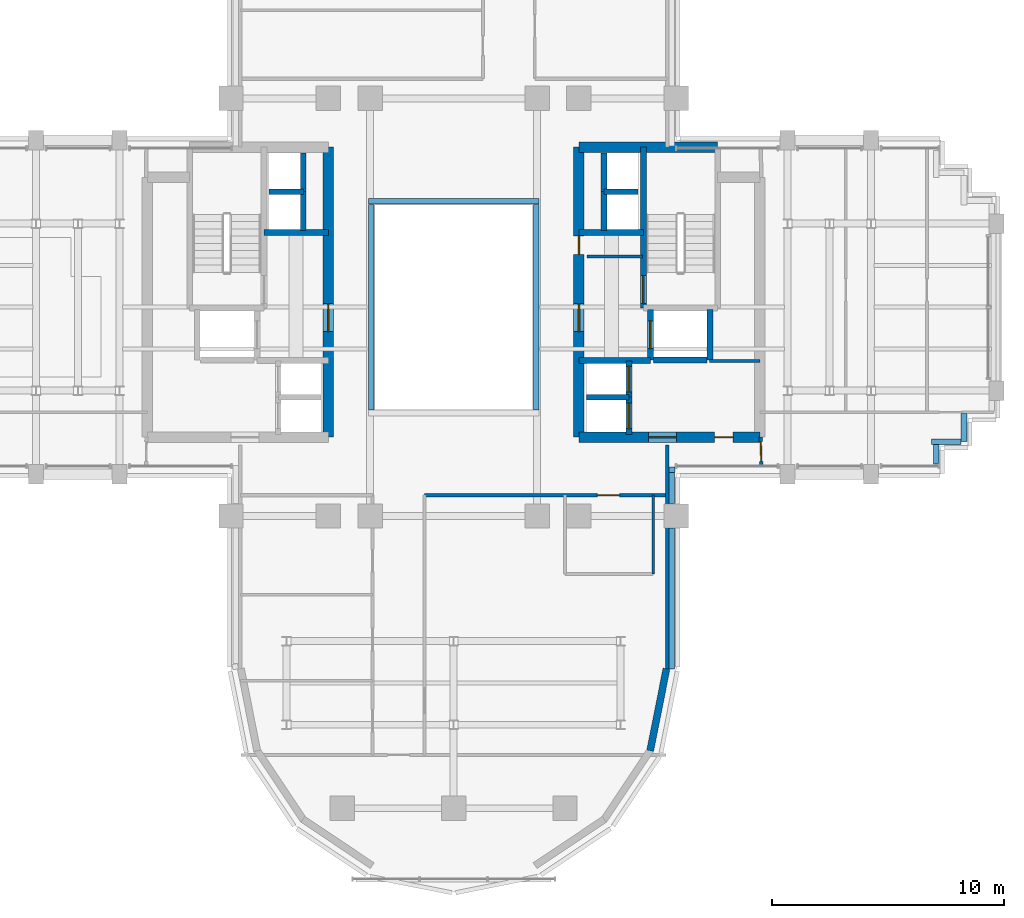
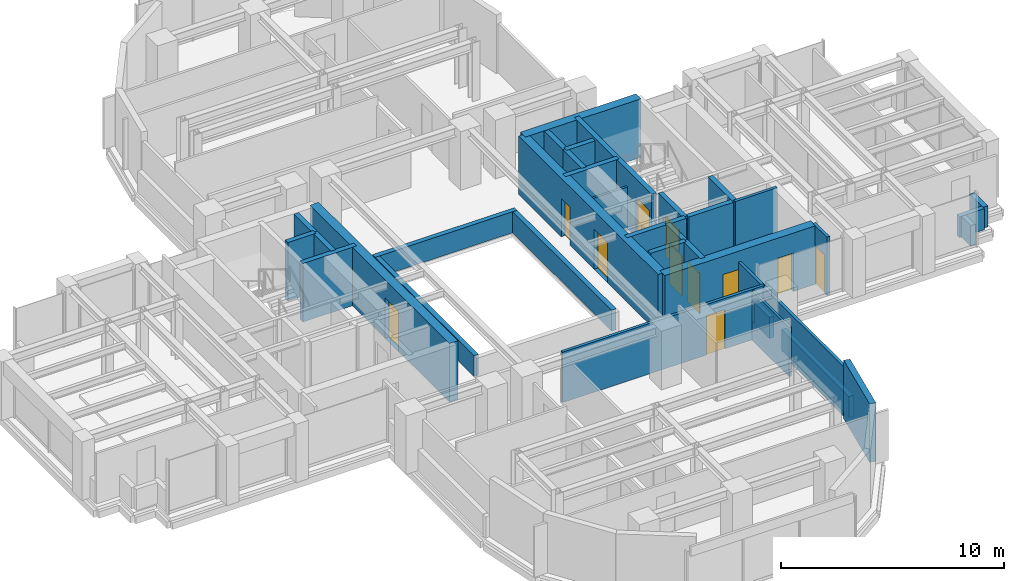
# One storey, part 9 of 13: 36 walls, 11 doors, 11 openings.
"""IFC4 building model written with IfcOpenShell, lengths in metres."""

import ifcopenshell
import ifcopenshell.guid

model = None  # the IFC model being written
_history = None  # IfcOwnerHistory: only IFC2X3 demands one
_inside = {}  # id of a spatial element -> (the spatial element, [elements in it])
_under = {}  # id of a project, library or spatial element -> (it, [spatial elements below it])
_declared = {}  # id of a project -> (the project, [libraries it declares])
_typed = {}  # id of a type object -> (the type object, [elements of that type])
_made_of = {}  # id of a material, layer set ... -> (it, [elements and type objects made of it])


def new_model(schema):
    """Start an empty IFC model of exactly this schema.

    Asked for "IFC4X3", IfcOpenShell would pick the latest addendum, in which some entities
    have other attributes; the version numbers below select the first issue.
    IFC2X3 requires an IfcOwnerHistory on every rooted entity: one is made here for all.
    """
    global model, _history
    if schema == "IFC4X3":
        model = ifcopenshell.file(schema_version=(4, 3, 0, 0))
    else:
        model = ifcopenshell.file(schema=schema)
    _inside.clear()
    _under.clear()
    _declared.clear()
    _typed.clear()
    _made_of.clear()
    _history = None
    if model.schema == "IFC2X3":
        org = make("IfcOrganization", Name="unknown")
        user = make(
            "IfcPersonAndOrganization",
            ThePerson=make("IfcPerson", FamilyName="unknown"),
            TheOrganization=org,
        )
        app = make(
            "IfcApplication",
            ApplicationDeveloper=org,
            Version="unknown",
            ApplicationFullName="unknown",
            ApplicationIdentifier="unknown",
        )
        _history = make(
            "IfcOwnerHistory",
            OwningUser=user,
            OwningApplication=app,
            ChangeAction="ADDED",
            CreationDate=0,
        )
    return model


def make(cls, **values):
    """One entity of the class cls with the attributes given. An attribute that is None is left unset."""
    return model.create_entity(
        cls, **{name: value for name, value in values.items() if value is not None}
    )


def rooted(cls, **values):
    """An entity with a GlobalId (a new one), such as an element, a storey or a relation."""
    return make(cls, GlobalId=ifcopenshell.guid.new(), OwnerHistory=_history, **values)


def si_unit(unit_type, name, prefix=None):
    """IfcSIUnit, for example si_unit("LENGTHUNIT", "METRE", prefix="MILLI")."""
    return make("IfcSIUnit", UnitType=unit_type, Prefix=prefix, Name=name)


def assignment(units):
    """IfcUnitAssignment: the units of a project."""
    return None if units is None else make("IfcUnitAssignment", Units=units)


def point(xyz):
    """IfcCartesianPoint."""
    return None if xyz is None else make("IfcCartesianPoint", Coordinates=xyz)


def direction(xyz):
    """IfcDirection."""
    return None if xyz is None else make("IfcDirection", DirectionRatios=xyz)


def frame(location, z_axis=None, x_axis=None):
    """IfcAxis2Placement3D, a coordinate frame: its origin and axes. An axis left out is left unset."""
    return make(
        "IfcAxis2Placement3D",
        Location=point(location),
        Axis=direction(z_axis),
        RefDirection=direction(x_axis),
    )


def frame_2d(location, x_axis=None):
    """IfcAxis2Placement2D, a coordinate frame in the plane: its origin and x axis."""
    return make(
        "IfcAxis2Placement2D", Location=point(location), RefDirection=direction(x_axis)
    )


def origin():
    """The frame at (0, 0, 0) with its axes left unset."""
    return frame((0.0, 0.0, 0.0))


def place(relative_to, where):
    """IfcLocalPlacement: puts the frame where relative to a parent placement (None: the world)."""
    return make(
        "IfcLocalPlacement", PlacementRelTo=relative_to, RelativePlacement=where
    )


def context(
    kind, dimensions, precision=None, world=None, true_north=None, identifier=None
):
    """IfcGeometricRepresentationContext, for example the 3D "Model" context."""
    return make(
        "IfcGeometricRepresentationContext",
        ContextIdentifier=identifier,
        ContextType=kind,
        CoordinateSpaceDimension=dimensions,
        Precision=precision,
        WorldCoordinateSystem=world,
        TrueNorth=true_north,
    )


def subcontext(parent, identifier, kind, view, scale=None):
    """IfcGeometricRepresentationSubContext, for example "Body" below "Model"."""
    return make(
        "IfcGeometricRepresentationSubContext",
        ContextIdentifier=identifier,
        ContextType=kind,
        ParentContext=parent,
        TargetScale=scale,
        TargetView=view,
    )


def project(units=None, contexts=None):
    """IfcProject with its units and contexts."""
    return rooted(
        "IfcProject",
        Name="project",
        RepresentationContexts=contexts,
        UnitsInContext=assignment(units),
    )


def spatial(cls, under=None, at=None, **own):
    """A site, building, storey or space (cls), placed at a placement, below another one or the project."""
    s = rooted(cls, ObjectPlacement=at, **own)
    if under is not None:
        _under.setdefault(under.id(), (under, []))[1].append(s)
    return s


def profile(cls, at=None, kind="AREA", **sizes):
    """A parametric profile (cls). Its sizes go by their IFC names, for example OverallWidth=200.0."""
    return make(cls, ProfileType=kind, Position=at, **sizes)


def rectangle(**sizes):
    """IfcRectangleProfileDef."""
    return profile("IfcRectangleProfileDef", **sizes)


def extrude(swept, where, along, depth):
    """IfcExtrudedAreaSolid: the profile swept, set in the frame where, extruded along a direction by depth."""
    return make(
        "IfcExtrudedAreaSolid",
        SweptArea=swept,
        Position=where,
        ExtrudedDirection=direction(along),
        Depth=depth,
    )


def shape(context_of_items, identifier, shape_type, items):
    """IfcShapeRepresentation: the items that make up one representation, for example the "Body"."""
    return make(
        "IfcShapeRepresentation",
        ContextOfItems=context_of_items,
        RepresentationIdentifier=identifier,
        RepresentationType=shape_type,
        Items=items,
    )


def source(mapping_origin, context_of_items, identifier, shape_type, items):
    """IfcRepresentationMap: a shape defined once, which mapped items show again and again."""
    return make(
        "IfcRepresentationMap",
        MappingOrigin=mapping_origin,
        MappedRepresentation=shape(context_of_items, identifier, shape_type, items),
    )


def transform(
    local_origin,
    x_axis=None,
    y_axis=None,
    z_axis=None,
    scale=None,
    scale2=None,
    scale3=None,
    uniform=True,
):
    """IfcCartesianTransformationOperator3D, or its non-uniform kind. x_axis, y_axis, z_axis: its Axis1, 2, 3."""
    if uniform:
        return make(
            "IfcCartesianTransformationOperator3D",
            Axis1=direction(x_axis),
            Axis2=direction(y_axis),
            LocalOrigin=point(local_origin),
            Scale=scale,
            Axis3=direction(z_axis),
        )
    return make(
        "IfcCartesianTransformationOperator3DnonUniform",
        Axis1=direction(x_axis),
        Axis2=direction(y_axis),
        LocalOrigin=point(local_origin),
        Scale=scale,
        Axis3=direction(z_axis),
        Scale2=scale2,
        Scale3=scale3,
    )


def mapped(mapping_source, mapping_target):
    """IfcMappedItem: shows the shape of a source again, moved by a transform."""
    return make(
        "IfcMappedItem", MappingSource=mapping_source, MappingTarget=mapping_target
    )


def material(Name=None, Category=None):
    """IfcMaterial."""
    return make("IfcMaterial", Name=Name, Category=Category)


def layer(
    of_material, thickness, ventilated=None, Name=None, Category=None, Priority=None
):
    """IfcMaterialLayer: one layer of a wall or slab, of a material (None: an air gap)."""
    return make(
        "IfcMaterialLayer",
        Material=of_material,
        LayerThickness=thickness,
        IsVentilated=ventilated,
        Name=Name,
        Category=Category,
        Priority=Priority,
    )


def layer_set(layers, Name=None):
    """IfcMaterialLayerSet."""
    return make("IfcMaterialLayerSet", MaterialLayers=layers, LayerSetName=Name)


def made_of(thing, what):
    """Note that an element or type object is made of a material, layer set ...; save() writes the relation."""
    if what is not None:
        _made_of.setdefault(what.id(), (what, []))[1].append(thing)
    return thing


def type_object(cls, material=None, **own):
    """A type object (cls), such as IfcWallType, which elements share."""
    return made_of(rooted(cls, **own), material)


def element(
    cls,
    number,
    at=None,
    inside=None,
    cuts=None,
    type_object=None,
    material=None,
    context=None,
    identifier="Body",
    shape_type=None,
    held_by="IfcProductDefinitionShape",
    body=None,
    shapes=None,
    **own,
):
    """One element of the class cls, such as IfcWall. Its Tag is "e" and its number.

    at: its placement. inside: the storey or other place that contains it. cuts: it is an
    opening in that element (IfcRelVoidsElement). A single representation is given by context,
    identifier, shape_type and body (its items); several are given by shapes. held_by: the class
    of the entity that holds the representations. save() writes the other relations.
    """
    e = rooted(cls, Tag="e%d" % number, ObjectPlacement=at, **own)
    if body is not None:
        shapes = [shape(context, identifier, shape_type, body)]
    if shapes is not None:
        e.Representation = make(held_by, Representations=shapes)
    if inside is not None:
        _inside.setdefault(inside.id(), (inside, []))[1].append(e)
    if cuts is not None:
        rooted(
            "IfcRelVoidsElement", RelatingBuildingElement=cuts, RelatedOpeningElement=e
        )
    if type_object is not None:
        _typed.setdefault(type_object.id(), (type_object, []))[1].append(e)
    return made_of(e, material)


def fill(opening, filler):
    """IfcRelFillsElement: the door or window that sits in an opening."""
    return rooted(
        "IfcRelFillsElement",
        RelatingOpeningElement=opening,
        RelatedBuildingElement=filler,
    )


def aggregate(whole, parts):
    """IfcRelAggregates: a whole, such as a stair, and the parts it consists of."""
    return rooted("IfcRelAggregates", RelatingObject=whole, RelatedObjects=parts)


def save(model, path):
    """Write the relations noted so far, then the file.

    IfcRelAggregates (storeys below a building ...), IfcRelContainedInSpatialStructure (elements
    in a storey), IfcRelDefinesByType, IfcRelAssociatesMaterial and IfcRelDeclares: one each for
    every whole, place, type object, material and project.
    """
    for whole, parts in _under.values():
        aggregate(whole, parts)
    for where, things in _inside.values():
        rooted(
            "IfcRelContainedInSpatialStructure",
            RelatedElements=things,
            RelatingStructure=where,
        )
    for kind, things in _typed.values():
        rooted("IfcRelDefinesByType", RelatedObjects=things, RelatingType=kind)
    for what, things in _made_of.values():
        rooted("IfcRelAssociatesMaterial", RelatedObjects=things, RelatingMaterial=what)
    for by, libraries in _declared.values():
        rooted("IfcRelDeclares", RelatingContext=by, RelatedDefinitions=libraries)
    model.write(path)


model = new_model("IFC4")

# Units and contexts
model_context = context("Model", 3, precision=1e-05, world=origin(), true_north=direction((0.0, 1.0)))
body_context = subcontext(model_context, "Body", "Model", "MODEL_VIEW")
ifc_project = project(units=[si_unit("LENGTHUNIT", "METRE"), si_unit("AREAUNIT", "SQUARE_METRE"), si_unit("VOLUMEUNIT", "CUBIC_METRE"), si_unit("PLANEANGLEUNIT", "RADIAN"), si_unit("MASSUNIT", "GRAM", prefix="KILO")], contexts=[model_context])

# Site, building, storey
site_placement = place(None, origin())
site = spatial("IfcSite", under=ifc_project, at=site_placement, CompositionType="ELEMENT")
building_placement = place(site_placement, origin())
building = spatial("IfcBuilding", under=site, at=building_placement, Name="Keilestroom Media Tower", CompositionType="ELEMENT")
storey_placement = place(building_placement, frame((0.0, 0.0, 131.199951171875)))
storey = spatial("IfcBuildingStorey", under=building, at=storey_placement, Name="L35", CompositionType="ELEMENT", Elevation=131.199951171875)

# Walls
ifc_material_1 = material(Name="Precast concrete C40/50", Category="concrete")
ifc_layer_1 = layer(ifc_material_1, 0.300048828125)
ifc_layer_set_1 = layer_set([ifc_layer_1], Name="Precast concrete C40/50")
wall_type_1 = type_object("IfcWallType", Name="Exterior-Masonry-Spandrel-Wall-300", PredefinedType="SOLIDWALL", material=ifc_layer_set_1)
wall_1_placement = place(storey_placement, frame((8.470703125, -19.12451171875, 0.0), z_axis=(0.0, 0.0, 1.0), x_axis=(0.195114232679, 0.980780523974, 0.0)))
element("IfcWall", 1, at=wall_1_placement, inside=storey, type_object=wall_type_1, Name="L35 Lobe Facet Precast Frame Wall 12", PredefinedType="SOLIDWALL", context=body_context, shape_type="SweptSolid", body=[
    extrude(rectangle(XDim=3.608642578125, YDim=0.300048828125, at=frame_2d((1.80419921875, 0.0))), origin(), (0.0, 0.0, 1.0), 3.199951171875),
])
ifc_material_2 = material(Name="Gypsum Plasterboard & Steel Stud", Category="steel")
ifc_layer_2 = layer(ifc_material_2, 0.1201171875)
ifc_layer_set_2 = layer_set([ifc_layer_2], Name="Gypsum Plasterboard & Steel Stud")
wall_type_2 = type_object("IfcWallType", Name="Interior-Partition-Wall-120", PredefinedType="PARTITIONING", material=ifc_layer_set_2)
wall_2_placement = place(storey_placement, frame((5.75, 2.179931640625, 0.0), z_axis=(0.0, 0.0, 1.0), x_axis=(1.0, 0.0, 0.0)))
element("IfcWall", 2, at=wall_2_placement, inside=storey, type_object=wall_type_2, Name="L35 Interior Wall WP-L35-CIE-S", PredefinedType="PARTITIONING", context=body_context, shape_type="SweptSolid", body=[
    extrude(rectangle(XDim=2.389892578125, YDim=0.1201171875, at=frame_2d((1.19482421875, 0.0))), origin(), (0.0, 0.0, 1.0), 2.300048828125),
])
wall_3_placement = place(storey_placement, frame((8.60009765625, -11.5, 0.0), z_axis=(0.0, 0.0, 1.0), x_axis=(0.0, 1.0, 0.0)))
element("IfcWall", 3, at=wall_3_placement, inside=storey, type_object=wall_type_2, Name="L35 Interior Wall WP-L35-SL-WC-E", PredefinedType="PARTITIONING", context=body_context, shape_type="SweptSolid", body=[
    extrude(rectangle(XDim=3.39990234375, YDim=0.1201171875, at=frame_2d((1.699951171875, 0.0))), origin(), (0.0, 0.0, 1.0), 2.699951171875),
])
ifc_layer_3 = layer(ifc_material_2, 0.14990234375)
ifc_layer_set_3 = layer_set([ifc_layer_3], Name="Gypsum Plasterboard & Steel Stud")
wall_type_3 = type_object("IfcWallType", Name="Interior-Partition-Wall-150", PredefinedType="PARTITIONING", material=ifc_layer_set_3)
wall_4_placement = place(storey_placement, frame((11.02001953125, -2.320068359375, 0.0), z_axis=(0.0, 0.0, 1.0), x_axis=(1.0, 0.0, 0.0)))
element("IfcWall", 4, at=wall_4_placement, inside=storey, type_object=wall_type_3, Name="L35 Interior Wall WP-L35-RECLE-N", PredefinedType="PARTITIONING", context=body_context, shape_type="SweptSolid", body=[
    extrude(rectangle(XDim=2.179931640625, YDim=0.14990234375, at=frame_2d((1.08984375, 0.0))), origin(), (0.0, 0.0, 1.0), 3.199951171875),
])
wall_5_placement = place(storey_placement, frame((9.199951171875, -15.679931640625, 0.0), z_axis=(0.0, 0.0, 1.0), x_axis=(0.0, 1.0, 0.0)))
element("IfcWall", 5, at=wall_5_placement, inside=storey, type_object=wall_type_3, Name="L35 Interior Wall WP-L35-SL-CHKE", PredefinedType="PARTITIONING", context=body_context, shape_type="SweptSolid", body=[
    extrude(rectangle(XDim=9.739990234375, YDim=0.14990234375, at=frame_2d((4.8701171875, 0.0))), origin(), (0.0, 0.0, 1.0), 2.699951171875),
])

# Wall, opening, door
wall_6_placement = place(storey_placement, frame((-1.260009765625, -8.10009765625, 0.0), z_axis=(0.0, 0.0, 1.0), x_axis=(1.0, 0.0, 0.0)))
wall_6 = element("IfcWall", 6, at=wall_6_placement, inside=storey, type_object=wall_type_3, Name="L35 Interior Wall WP-L35-SL-BASE-E", PredefinedType="PARTITIONING", context=body_context, shape_type="SweptSolid", body=[
    extrude(rectangle(XDim=10.4599609375, YDim=0.14990234375, at=frame_2d((5.22998046875, 0.0))), origin(), (0.0, 0.0, 1.0), 2.760009765625),
])
opening_1_placement = place(wall_6_placement, frame((7.4599609375, 0.0, 0.0)))
opening_1 = element("IfcOpeningElement", 7, at=opening_1_placement, cuts=wall_6, Name="Opening DI-03", PredefinedType="OPENING", context=body_context, shape_type="SweptSolid", body=[
    extrude(rectangle(XDim=0.949951171875, YDim=2.14990234375, at=frame_2d((0.47509765625, 1.074951171875))), frame((0.0, 0.0849609375, 0.0), z_axis=(0.0, -1.0, 0.0), x_axis=(1.0, 0.0, 0.0)), (0.0, 0.0, 1.0), 0.169921875),
])
ifc_material_3 = material(Name="Lacquered European Oak Leaf", Category="wood")
door_type_1 = type_object("IfcDoorType", Name="Interior-Room-And-Suite-Door-DI-03", OperationType="NOTDEFINED", PredefinedType="DOOR", material=ifc_material_3)
shared_shape_1 = source(origin(), body_context, "Body", "SweptSolid", [
    extrude(rectangle(XDim=0.949951171875, YDim=2.14990234375, at=frame_2d((0.47509765625, 1.074951171875))), frame((0.0, 0.02490234375, 0.0), z_axis=(0.0, -1.0, 0.0), x_axis=(1.0, 0.0, 0.0)), (0.0, 0.0, 1.0), 0.050048828125),
])
door_1_placement = place(opening_1_placement, origin())
door_1 = element("IfcDoor", 8, at=door_1_placement, inside=storey, type_object=door_type_1, Name="L35 Interior Door DI-L35-DSL-WC", OperationType="SINGLE_SWING_RIGHT", OverallHeight=2.14990234375, OverallWidth=0.949951171875, PredefinedType="DOOR", context=body_context, shape_type="MappedRepresentation", body=[
    mapped(shared_shape_1, transform((0.0, 0.0, 0.0), x_axis=(1.0, 0.0, 0.0), y_axis=(0.0, 1.0, 0.0), z_axis=(0.0, 0.0, 1.0), scale=1.0)),
])
fill(opening_1, door_1)

wall_7_placement = place(storey_placement, frame((13.260009765625, -6.85009765625, 0.0), z_axis=(0.0, 0.0, 1.0), x_axis=(-0.016013571389, 0.999871774545, 0.0)))
wall_7 = element("IfcWall", 9, at=wall_7_placement, inside=storey, type_object=wall_type_3, Name="L35 Interior Wall WP-L35-EA-ENTS", PredefinedType="PARTITIONING", context=body_context, shape_type="SweptSolid", body=[
    extrude(rectangle(XDim=1.250244140625, YDim=0.14990234375, at=frame_2d((0.625, 0.0))), origin(), (0.0, 0.0, 1.0), 3.199951171875),
])
opening_2_placement = place(wall_7_placement, frame((0.199951171875, 0.0, 0.0)))
opening_2 = element("IfcOpeningElement", 10, at=opening_2_placement, cuts=wall_7, Name="Opening DI-05", PredefinedType="OPENING", context=body_context, shape_type="SweptSolid", body=[
    extrude(rectangle(XDim=0.85009765625, YDim=2.10009765625, at=frame_2d((0.425048828125, 1.050048828125))), frame((0.0, 0.0849609375, 0.0), z_axis=(0.0, -1.0, 0.0), x_axis=(1.0, 0.0, 0.0)), (0.0, 0.0, 1.0), 0.169921875),
])
ifc_material_4 = material(Name="Moisture-Resistant Oak Leaf", Category="wood")
door_type_2 = type_object("IfcDoorType", Name="Interior-En-Suite-And-Cupboard-Door-DI-05", OperationType="NOTDEFINED", PredefinedType="DOOR", material=ifc_material_4)
shared_shape_2 = source(origin(), body_context, "Body", "SweptSolid", [
    extrude(rectangle(XDim=0.85009765625, YDim=2.10009765625, at=frame_2d((0.425048828125, 1.050048828125))), frame((0.0, 0.02490234375, 0.0), z_axis=(0.0, -1.0, 0.0), x_axis=(1.0, 0.0, 0.0)), (0.0, 0.0, 1.0), 0.050048828125),
])
door_2_placement = place(opening_2_placement, origin())
door_2 = element("IfcDoor", 11, at=door_2_placement, inside=storey, type_object=door_type_2, Name="L35 Interior Door DI-L35-DEA-ENTS", OperationType="SINGLE_SWING_LEFT", OverallHeight=2.10009765625, OverallWidth=0.85009765625, PredefinedType="DOOR", context=body_context, shape_type="MappedRepresentation", body=[
    mapped(shared_shape_2, transform((0.0, 0.0, 0.0), x_axis=(1.0, 0.0, 0.0), y_axis=(0.0, 1.0, 0.0), z_axis=(0.0, 0.0, 1.0), scale=1.0)),
])
fill(opening_2, door_2)

ifc_material_5 = material(Name="Concrete C55/67", Category="concrete")
ifc_layer_4 = layer(ifc_material_5, 0.449951171875)
ifc_layer_set_4 = layer_set([ifc_layer_4], Name="Concrete C55/67")
wall_type_4 = type_object("IfcWallType", Name="Reinforced-Concrete-Core-Shear-Wall-450", PredefinedType="SHEAR", material=ifc_layer_set_4)
wall_8_placement = place(storey_placement, frame((-5.39990234375, -5.60009765625, 0.0), z_axis=(0.0, 0.0, 1.0), x_axis=(0.0, 1.0, 0.0)))
wall_8 = element("IfcWall", 12, at=wall_8_placement, inside=storey, type_object=wall_type_4, Name="L35 Core Shear Wall WL-L35-CORE-W-IN", PredefinedType="SHEAR", context=body_context, shape_type="SweptSolid", body=[
    extrude(rectangle(XDim=12.5, YDim=0.449951171875, at=frame_2d((6.25, 0.0))), origin(), (0.0, 0.0, 1.0), 3.199951171875),
])
opening_3_placement = place(wall_8_placement, frame((4.550048828125, 0.0, 0.0)))
opening_3 = element("IfcOpeningElement", 13, at=opening_3_placement, cuts=wall_8, Name="Opening DI-02", PredefinedType="OPENING", context=body_context, shape_type="SweptSolid", body=[
    extrude(rectangle(XDim=1.199951171875, YDim=2.199951171875, at=frame_2d((0.60009765625, 1.10009765625))), frame((0.0, 0.23486328125, 0.0), z_axis=(0.0, -1.0, 0.0), x_axis=(1.0, 0.0, 0.0)), (0.0, 0.0, 1.0), 0.469970703125),
])
ifc_material_6 = material(Name="Powder-Coated Steel Fire Leaf", Category="steel")
door_type_3 = type_object("IfcDoorType", Name="Interior-Compartment-Fire-Door-DI-02", OperationType="NOTDEFINED", PredefinedType="DOOR", material=ifc_material_6)
shared_shape_3 = source(origin(), body_context, "Body", "SweptSolid", [
    extrude(rectangle(XDim=1.199951171875, YDim=2.199951171875, at=frame_2d((0.60009765625, 1.10009765625))), frame((0.0, 0.02490234375, 0.0), z_axis=(0.0, -1.0, 0.0), x_axis=(1.0, 0.0, 0.0)), (0.0, 0.0, 1.0), 0.050048828125),
])
door_3_placement = place(opening_3_placement, origin())
door_3 = element("IfcDoor", 14, at=door_3_placement, inside=storey, type_object=door_type_3, Name="L35 W Firefighting Lobby Door", OperationType="SINGLE_SWING_RIGHT", OverallHeight=2.199951171875, OverallWidth=1.199951171875, PredefinedType="DOOR", context=body_context, shape_type="MappedRepresentation", body=[
    mapped(shared_shape_3, transform((0.0, 0.0, 0.0), x_axis=(1.0, 0.0, 0.0), y_axis=(0.0, 1.0, 0.0), z_axis=(0.0, 0.0, 1.0), scale=1.0)),
])
fill(opening_3, door_3)

# Wall, openings, doors
wall_9_placement = place(storey_placement, frame((5.39990234375, -5.60009765625, 0.0), z_axis=(0.0, 0.0, 1.0), x_axis=(0.0, 1.0, 0.0)))
wall_9 = element("IfcWall", 15, at=wall_9_placement, inside=storey, type_object=wall_type_4, Name="L35 Core Shear Wall WL-L35-CORE-E-IN", PredefinedType="SHEAR", context=body_context, shape_type="SweptSolid", body=[
    extrude(rectangle(XDim=12.5, YDim=0.449951171875, at=frame_2d((6.25, 0.0))), origin(), (0.0, 0.0, 1.0), 3.199951171875),
])
opening_4_placement = place(wall_9_placement, frame((4.550048828125, 0.0, 0.0)))
opening_4 = element("IfcOpeningElement", 16, at=opening_4_placement, cuts=wall_9, Name="Opening DI-02", PredefinedType="OPENING", context=body_context, shape_type="SweptSolid", body=[
    extrude(rectangle(XDim=1.199951171875, YDim=2.199951171875, at=frame_2d((0.60009765625, 1.10009765625))), frame((0.0, 0.23486328125, 0.0), z_axis=(0.0, -1.0, 0.0), x_axis=(1.0, 0.0, 0.0)), (0.0, 0.0, 1.0), 0.469970703125),
])
opening_5_placement = place(wall_9_placement, frame((7.8798828125, 0.0, 0.0)))
opening_5 = element("IfcOpeningElement", 17, at=opening_5_placement, cuts=wall_9, Name="Opening DI-06", PredefinedType="OPENING", context=body_context, shape_type="SweptSolid", body=[
    extrude(rectangle(XDim=0.800048828125, YDim=2.10009765625, at=frame_2d((0.39990234375, 1.050048828125))), frame((0.0, 0.23486328125, 0.0), z_axis=(0.0, -1.0, 0.0), x_axis=(1.0, 0.0, 0.0)), (0.0, 0.0, 1.0), 0.469970703125),
])
door_4_placement = place(opening_4_placement, origin())
door_4 = element("IfcDoor", 18, at=door_4_placement, inside=storey, type_object=door_type_3, Name="L35 E Firefighting Lobby Door", OperationType="SINGLE_SWING_LEFT", OverallHeight=2.199951171875, OverallWidth=1.199951171875, PredefinedType="DOOR", context=body_context, shape_type="MappedRepresentation", body=[
    mapped(shared_shape_3, transform((0.0, 0.0, 0.0), x_axis=(1.0, 0.0, 0.0), y_axis=(0.0, 1.0, 0.0), z_axis=(0.0, 0.0, 1.0), scale=1.0)),
])
fill(opening_4, door_4)
ifc_material_7 = material(Name="Powder-Coated Steel Service Leaf", Category="steel")
door_type_4 = type_object("IfcDoorType", Name="Interior-Riser-Access-Door-DI-06", OperationType="NOTDEFINED", PredefinedType="DOOR", material=ifc_material_7)
shared_shape_4 = source(origin(), body_context, "Body", "SweptSolid", [
    extrude(rectangle(XDim=0.800048828125, YDim=2.10009765625, at=frame_2d((0.39990234375, 1.050048828125))), frame((0.0, 0.02490234375, 0.0), z_axis=(0.0, -1.0, 0.0), x_axis=(1.0, 0.0, 0.0)), (0.0, 0.0, 1.0), 0.050048828125),
])
door_5_placement = place(opening_5_placement, origin())
door_5 = element("IfcDoor", 19, at=door_5_placement, inside=storey, type_object=door_type_4, Name="L35 East Core Closet Door", OperationType="SINGLE_SWING_RIGHT", OverallHeight=2.10009765625, OverallWidth=0.800048828125, PredefinedType="DOOR", context=body_context, shape_type="MappedRepresentation", body=[
    mapped(shared_shape_4, transform((0.0, 0.0, 0.0), x_axis=(1.0, 0.0, 0.0), y_axis=(0.0, 1.0, 0.0), z_axis=(0.0, 0.0, 1.0), scale=1.0)),
])
fill(opening_5, door_5)

# Wall
wall_10_placement = place(storey_placement, frame((5.39990234375, 6.89990234375, 0.0), z_axis=(0.0, 0.0, 1.0), x_axis=(1.0, 0.0, 0.0)))
element("IfcWall", 20, at=wall_10_placement, inside=storey, type_object=wall_type_4, Name="L35 Core Shear Wall WL-L35-CORE-E-N", PredefinedType="SHEAR", context=body_context, shape_type="SweptSolid", body=[
    extrude(rectangle(XDim=5.981201171875, YDim=0.449951171875, at=frame_2d((2.99072265625, 0.0))), origin(), (0.0, 0.0, 1.0), 3.199951171875),
])

# Wall, openings, doors
wall_11_placement = place(storey_placement, frame((5.39990234375, -5.60009765625, 0.0), z_axis=(0.0, 0.0, 1.0), x_axis=(1.0, 0.0, 0.0)))
wall_11 = element("IfcWall", 21, at=wall_11_placement, inside=storey, type_object=wall_type_4, Name="L35 Core Shear Wall WL-L35-CORE-E-S", PredefinedType="SHEAR", context=body_context, shape_type="SweptSolid", body=[
    extrude(rectangle(XDim=7.800048828125, YDim=0.449951171875, at=frame_2d((3.89990234375, 0.0))), origin(), (0.0, 0.0, 1.0), 3.199951171875),
])
opening_6_placement = place(wall_11_placement, frame((3.0, 0.0, 0.0)))
opening_6 = element("IfcOpeningElement", 22, at=opening_6_placement, cuts=wall_11, Name="Opening DI-02", PredefinedType="OPENING", context=body_context, shape_type="SweptSolid", body=[
    extrude(rectangle(XDim=1.199951171875, YDim=2.199951171875, at=frame_2d((0.60009765625, 1.10009765625))), frame((0.0, 0.23486328125, 0.0), z_axis=(0.0, -1.0, 0.0), x_axis=(1.0, 0.0, 0.0)), (0.0, 0.0, 1.0), 0.469970703125),
])
opening_7_placement = place(wall_11_placement, frame((5.85009765625, 0.0, 0.0)))
opening_7 = element("IfcOpeningElement", 23, at=opening_7_placement, cuts=wall_11, Name="Opening DI-06", PredefinedType="OPENING", context=body_context, shape_type="SweptSolid", body=[
    extrude(rectangle(XDim=0.800048828125, YDim=2.10009765625, at=frame_2d((0.39990234375, 1.050048828125))), frame((0.0, 0.23486328125, 0.0), z_axis=(0.0, -1.0, 0.0), x_axis=(1.0, 0.0, 0.0)), (0.0, 0.0, 1.0), 0.469970703125),
])
door_6_placement = place(opening_6_placement, origin())
door_6 = element("IfcDoor", 24, at=door_6_placement, inside=storey, type_object=door_type_3, Name="L35 E Passenger Lift Lobby Door", OperationType="SINGLE_SWING_RIGHT", OverallHeight=2.199951171875, OverallWidth=1.199951171875, PredefinedType="DOOR", context=body_context, shape_type="MappedRepresentation", body=[
    mapped(shared_shape_3, transform((0.0, 0.0, 0.0), x_axis=(1.0, 0.0, 0.0), y_axis=(0.0, 1.0, 0.0), z_axis=(0.0, 0.0, 1.0), scale=1.0)),
])
fill(opening_6, door_6)
door_7_placement = place(opening_7_placement, origin())
door_7 = element("IfcDoor", 25, at=door_7_placement, inside=storey, type_object=door_type_4, Name="L35 Reclaimed East Core Room Door", OperationType="SINGLE_SWING_RIGHT", OverallHeight=2.10009765625, OverallWidth=0.800048828125, PredefinedType="DOOR", context=body_context, shape_type="MappedRepresentation", body=[
    mapped(shared_shape_4, transform((0.0, 0.0, 0.0), x_axis=(1.0, 0.0, 0.0), y_axis=(0.0, 1.0, 0.0), z_axis=(0.0, 0.0, 1.0), scale=1.0)),
])
fill(opening_7, door_7)

# Walls
ifc_material_8 = material(Name="Concrete C50/60", Category="concrete")
ifc_layer_5 = layer(ifc_material_8, 0.25)
ifc_layer_set_5 = layer_set([ifc_layer_5], Name="Concrete C50/60")
wall_type_5 = type_object("IfcWallType", Name="Reinforced-Concrete-Shaft-Wall-250", PredefinedType="SOLIDWALL", material=ifc_layer_set_5)
for number, where, z_axis, x_axis, name in (
    (26, (-8.179931640625, 3.219970703125, 0.0), (0.0, 0.0, 1.0), (1.0, 0.0, 0.0), "L35 Core Shear Wall WL-L35-CORE-W-FFN"),
    (27, (5.39990234375, 3.219970703125, 0.0), (0.0, 0.0, 1.0), (1.0, 0.0, 0.0), "L35 Core Shear Wall WL-L35-CORE-E-FFN"),
):
    element("IfcWall", number, at=place(storey_placement, frame(where, z_axis=z_axis, x_axis=x_axis)), inside=storey, type_object=wall_type_5, Name=name, PredefinedType="SOLIDWALL", context=body_context, shape_type="SweptSolid", body=[
        extrude(rectangle(XDim=2.780029296875, YDim=0.25, at=frame_2d((1.39013671875, 0.0))), origin(), (0.0, 0.0, 1.0), 3.199951171875),
    ])
wall_12_placement = place(storey_placement, frame((5.39990234375, -2.300048828125, 0.0), z_axis=(0.0, 0.0, 1.0), x_axis=(1.0, 0.0, 0.0)))
element("IfcWall", 28, at=wall_12_placement, inside=storey, type_object=wall_type_5, Name="L35 Core Shear Wall WL-L35-CORE-E-FFS", PredefinedType="SOLIDWALL", context=body_context, shape_type="SweptSolid", body=[
    extrude(rectangle(XDim=3.080078125, YDim=0.25, at=frame_2d((1.5400390625, 0.0))), origin(), (0.0, 0.0, 1.0), 3.199951171875),
])

# Wall, opening, door
wall_13_placement = place(storey_placement, frame((8.178955078125, -0.041015625, 0.0), z_axis=(0.0, 0.0, 1.0), x_axis=(0.0, 1.0, 0.0)))
wall_13 = element("IfcWall", 29, at=wall_13_placement, inside=storey, type_object=wall_type_5, Name="L35 Core Shear Wall WL-L35-STW-E-NEAR", PredefinedType="SOLIDWALL", context=body_context, shape_type="SweptSolid", body=[
    extrude(rectangle(XDim=6.94091796875, YDim=0.25, at=frame_2d((3.470458984375, 0.0))), origin(), (0.0, 0.0, 1.0), 3.199951171875),
])
opening_8_placement = place(wall_13_placement, frame((0.199951171875, 0.0, 0.0)))
opening_8 = element("IfcOpeningElement", 30, at=opening_8_placement, cuts=wall_13, Name="Opening DI-01S", PredefinedType="OPENING", context=body_context, shape_type="SweptSolid", body=[
    extrude(rectangle(XDim=1.199951171875, YDim=2.199951171875, at=frame_2d((0.60009765625, 1.10009765625))), frame((0.0, 0.135009765625, 0.0), z_axis=(0.0, -1.0, 0.0), x_axis=(1.0, 0.0, 0.0)), (0.0, 0.0, 1.0), 0.27001953125),
])
door_type_5 = type_object("IfcDoorType", Name="Interior-Stair-And-Core-Fire-Door-DI-01", OperationType="NOTDEFINED", PredefinedType="DOOR", material=ifc_material_6)
door_8_placement = place(opening_8_placement, origin())
door_8 = element("IfcDoor", 31, at=door_8_placement, inside=storey, type_object=door_type_5, Name="L35 Escape Stair ST-2 Fire Door", OperationType="SINGLE_SWING_RIGHT", OverallHeight=2.199951171875, OverallWidth=1.199951171875, PredefinedType="DOOR", context=body_context, shape_type="MappedRepresentation", body=[
    mapped(shared_shape_3, transform((0.0, 0.0, 0.0), x_axis=(1.0, 0.0, 0.0), y_axis=(0.0, 1.0, 0.0), z_axis=(0.0, 0.0, 1.0), scale=1.0)),
])
fill(opening_8, door_8)

wall_14_placement = place(storey_placement, frame((8.47998046875, -2.280029296875, 0.0), z_axis=(0.0, 0.0, 1.0), x_axis=(0.0, 1.0, 0.0)))
wall_14 = element("IfcWall", 32, at=wall_14_placement, inside=storey, type_object=wall_type_5, Name="L35 Core Shear Wall WL-L35-LSH-FFL-2-W", PredefinedType="SOLIDWALL", context=body_context, shape_type="SweptSolid", body=[
    extrude(rectangle(XDim=2.179931640625, YDim=0.25, at=frame_2d((1.08984375, 0.0))), origin(), (0.0, 0.0, 1.0), 3.199951171875),
])
opening_9_placement = place(wall_14_placement, frame((0.489990234375, 0.0, 0.0)))
opening_9 = element("IfcOpeningElement", 33, at=opening_9_placement, cuts=wall_14, Name="Opening LD-02", PredefinedType="OPENING", context=body_context, shape_type="SweptSolid", body=[
    extrude(rectangle(XDim=1.199951171875, YDim=2.199951171875, at=frame_2d((0.60009765625, 1.10009765625))), frame((0.0, 0.135009765625, 0.0), z_axis=(0.0, -1.0, 0.0), x_axis=(1.0, 0.0, 0.0)), (0.0, 0.0, 1.0), 0.27001953125),
])
ifc_material_9 = material(Name="Brushed Stainless Steel Sliding Leaf", Category="steel")
door_type_6 = type_object("IfcDoorType", Name="Lift-Landing-Sliding-Door-LD-02", OperationType="SLIDING_TO_RIGHT", PredefinedType="DOOR", material=ifc_material_9)
door_9_placement = place(opening_9_placement, origin())
door_9 = element("IfcDoor", 34, at=door_9_placement, inside=storey, type_object=door_type_6, Name="L35 Lift FFL-2 Landing Sliding Door", OperationType="SLIDING_TO_RIGHT", OverallHeight=2.199951171875, OverallWidth=1.199951171875, PredefinedType="DOOR", context=body_context, shape_type="MappedRepresentation", body=[
    mapped(shared_shape_3, transform((0.0, 0.0, 0.0), x_axis=(1.0, 0.0, 0.0), y_axis=(0.0, 1.0, 0.0), z_axis=(0.0, 0.0, 1.0), scale=1.0)),
])
fill(opening_9, door_9)

# Walls
wall_15_placement = place(storey_placement, frame((11.050048828125, -2.280029296875, 0.0), z_axis=(0.0, 0.0, 1.0), x_axis=(0.0, 1.0, 0.0)))
element("IfcWall", 35, at=wall_15_placement, inside=storey, type_object=wall_type_5, Name="L35 Core Shear Wall WL-L35-LSH-FFL-2-E", PredefinedType="SOLIDWALL", context=body_context, shape_type="SweptSolid", body=[
    extrude(rectangle(XDim=2.179931640625, YDim=0.25, at=frame_2d((1.08984375, 0.0))), origin(), (0.0, 0.0, 1.0), 3.199951171875),
])
wall_16_placement = place(storey_placement, frame((8.60888671875, -2.280029296875, 0.0), z_axis=(0.0, 0.0, 1.0), x_axis=(1.0, 0.0, 0.0)))
element("IfcWall", 36, at=wall_16_placement, inside=storey, type_object=wall_type_5, Name="L35 Core Shear Wall WL-L35-LSH-FFL-2-S", PredefinedType="SOLIDWALL", context=body_context, shape_type="SweptSolid", body=[
    extrude(rectangle(XDim=2.31201171875, YDim=0.25, at=frame_2d((1.156005859375, 0.0))), origin(), (0.0, 0.0, 1.0), 3.199951171875),
])

# Wall, opening, door
wall_17_placement = place(storey_placement, frame((7.56005859375, -5.47998046875, 0.0), z_axis=(0.0, 0.0, 1.0), x_axis=(0.0, 1.0, 0.0)))
wall_17 = element("IfcWall", 37, at=wall_17_placement, inside=storey, type_object=wall_type_5, Name="L35 Core Shear Wall WL-L35-LSH-PL-M3-E", PredefinedType="SOLIDWALL", context=body_context, shape_type="SweptSolid", body=[
    extrude(rectangle(XDim=1.60009765625, YDim=0.25, at=frame_2d((0.800048828125, 0.0))), origin(), (0.0, 0.0, 1.0), 3.199951171875),
])
opening_10_placement = place(wall_17_placement, frame((0.25, 0.0, 0.0)))
opening_10 = element("IfcOpeningElement", 38, at=opening_10_placement, cuts=wall_17, Name="Opening LD-01", PredefinedType="OPENING", context=body_context, shape_type="SweptSolid", body=[
    extrude(rectangle(XDim=1.10009765625, YDim=2.199951171875, at=frame_2d((0.550048828125, 1.10009765625))), frame((0.0, 0.135009765625, 0.0), z_axis=(0.0, -1.0, 0.0), x_axis=(1.0, 0.0, 0.0)), (0.0, 0.0, 1.0), 0.27001953125),
])
door_type_7 = type_object("IfcDoorType", Name="Lift-Landing-Sliding-Door-LD-01", OperationType="SLIDING_TO_LEFT", PredefinedType="DOOR", material=ifc_material_9)
shared_shape_5 = source(origin(), body_context, "Body", "SweptSolid", [
    extrude(rectangle(XDim=1.10009765625, YDim=2.199951171875, at=frame_2d((0.550048828125, 1.10009765625))), frame((0.0, 0.02490234375, 0.0), z_axis=(0.0, -1.0, 0.0), x_axis=(1.0, 0.0, 0.0)), (0.0, 0.0, 1.0), 0.050048828125),
])
door_10_placement = place(opening_10_placement, origin())
door_10 = element("IfcDoor", 39, at=door_10_placement, inside=storey, type_object=door_type_7, Name="L35 Lift PL-M3 Landing Sliding Door", OperationType="SLIDING_TO_LEFT", OverallHeight=2.199951171875, OverallWidth=1.10009765625, PredefinedType="DOOR", context=body_context, shape_type="MappedRepresentation", body=[
    mapped(shared_shape_5, transform((0.0, 0.0, 0.0), x_axis=(1.0, 0.0, 0.0), y_axis=(0.0, 1.0, 0.0), z_axis=(0.0, 0.0, 1.0), scale=1.0)),
])
fill(opening_10, door_10)

# Wall
wall_18_placement = place(storey_placement, frame((5.719970703125, -3.8798828125, 0.0), z_axis=(0.0, 0.0, 1.0), x_axis=(1.0, 0.0, 0.0)))
element("IfcWall", 40, at=wall_18_placement, inside=storey, type_object=wall_type_5, Name="L35 Core Shear Wall WL-L35-LSH-PL-M3-N", PredefinedType="SOLIDWALL", context=body_context, shape_type="SweptSolid", body=[
    extrude(rectangle(XDim=1.840087890625, YDim=0.25, at=frame_2d((0.919921875, 0.0))), origin(), (0.0, 0.0, 1.0), 3.199951171875),
])

# Wall, opening, door
wall_19_placement = place(storey_placement, frame((7.56005859375, -3.8798828125, 0.0), z_axis=(0.0, 0.0, 1.0), x_axis=(0.0, 1.0, 0.0)))
wall_19 = element("IfcWall", 41, at=wall_19_placement, inside=storey, type_object=wall_type_5, Name="L35 Core Shear Wall WL-L35-LSH-PL-M4-E", PredefinedType="SOLIDWALL", context=body_context, shape_type="SweptSolid", body=[
    extrude(rectangle(XDim=1.559814453125, YDim=0.25, at=frame_2d((0.77978515625, 0.0))), origin(), (0.0, 0.0, 1.0), 3.199951171875),
])
opening_11_placement = place(wall_19_placement, frame((0.22998046875, 0.0, 0.0)))
opening_11 = element("IfcOpeningElement", 42, at=opening_11_placement, cuts=wall_19, Name="Opening LD-01", PredefinedType="OPENING", context=body_context, shape_type="SweptSolid", body=[
    extrude(rectangle(XDim=1.10009765625, YDim=2.199951171875, at=frame_2d((0.550048828125, 1.10009765625))), frame((0.0, 0.135009765625, 0.0), z_axis=(0.0, -1.0, 0.0), x_axis=(1.0, 0.0, 0.0)), (0.0, 0.0, 1.0), 0.27001953125),
])
door_11_placement = place(opening_11_placement, origin())
door_11 = element("IfcDoor", 43, at=door_11_placement, inside=storey, type_object=door_type_7, Name="L35 Lift PL-M4 Landing Sliding Door", OperationType="SLIDING_TO_LEFT", OverallHeight=2.199951171875, OverallWidth=1.10009765625, PredefinedType="DOOR", context=body_context, shape_type="MappedRepresentation", body=[
    mapped(shared_shape_5, transform((0.0, 0.0, 0.0), x_axis=(1.0, 0.0, 0.0), y_axis=(0.0, 1.0, 0.0), z_axis=(0.0, 0.0, 1.0), scale=1.0)),
])
fill(opening_11, door_11)

# Walls
wall_20_placement = place(storey_placement, frame((-6.47998046875, 3.300048828125, 0.0), z_axis=(0.0, 0.0, 1.0), x_axis=(0.0, 1.0, 0.0)))
element("IfcWall", 44, at=wall_20_placement, inside=storey, type_object=wall_type_5, Name="L35 Core Shear Wall WL-L35-LSH-PL-H1-E", PredefinedType="SOLIDWALL", context=body_context, shape_type="SweptSolid", body=[
    extrude(rectangle(XDim=1.679931640625, YDim=0.25, at=frame_2d((0.83984375, 0.0))), origin(), (0.0, 0.0, 1.0), 3.199951171875),
])
wall_21_placement = place(storey_placement, frame((-7.949951171875, 4.97998046875, 0.0), z_axis=(0.0, 0.0, 1.0), x_axis=(1.0, 0.0, 0.0)))
element("IfcWall", 45, at=wall_21_placement, inside=storey, type_object=wall_type_5, Name="L35 Core Shear Wall WL-L35-LSH-PL-H1-N", PredefinedType="SOLIDWALL", context=body_context, shape_type="SweptSolid", body=[
    extrude(rectangle(XDim=1.469970703125, YDim=0.25, at=frame_2d((0.73486328125, 0.0))), origin(), (0.0, 0.0, 1.0), 3.199951171875),
])
wall_22_placement = place(storey_placement, frame((-6.47998046875, 4.97998046875, 0.0), z_axis=(0.0, 0.0, 1.0), x_axis=(0.0, 1.0, 0.0)))
element("IfcWall", 46, at=wall_22_placement, inside=storey, type_object=wall_type_5, Name="L35 Core Shear Wall WL-L35-LSH-PL-H2-E", PredefinedType="SOLIDWALL", context=body_context, shape_type="SweptSolid", body=[
    extrude(rectangle(XDim=1.669921875, YDim=0.25, at=frame_2d((0.8349609375, 0.0))), origin(), (0.0, 0.0, 1.0), 3.199951171875),
])
wall_23_placement = place(storey_placement, frame((6.47998046875, 3.300048828125, 0.0), z_axis=(0.0, 0.0, 1.0), x_axis=(0.0, 1.0, 0.0)))
element("IfcWall", 47, at=wall_23_placement, inside=storey, type_object=wall_type_5, Name="L35 Core Shear Wall WL-L35-LSH-PL-H3-W", PredefinedType="SOLIDWALL", context=body_context, shape_type="SweptSolid", body=[
    extrude(rectangle(XDim=1.679931640625, YDim=0.25, at=frame_2d((0.83984375, 0.0))), origin(), (0.0, 0.0, 1.0), 3.199951171875),
])
wall_24_placement = place(storey_placement, frame((6.47998046875, 4.97998046875, 0.0), z_axis=(0.0, 0.0, 1.0), x_axis=(1.0, 0.0, 0.0)))
element("IfcWall", 48, at=wall_24_placement, inside=storey, type_object=wall_type_5, Name="L35 Core Shear Wall WL-L35-LSH-PL-H3-N", PredefinedType="SOLIDWALL", context=body_context, shape_type="SweptSolid", body=[
    extrude(rectangle(XDim=1.469970703125, YDim=0.25, at=frame_2d((0.73486328125, 0.0))), origin(), (0.0, 0.0, 1.0), 3.199951171875),
])
wall_25_placement = place(storey_placement, frame((6.47998046875, 4.97998046875, 0.0), z_axis=(0.0, 0.0, 1.0), x_axis=(0.0, 1.0, 0.0)))
element("IfcWall", 49, at=wall_25_placement, inside=storey, type_object=wall_type_5, Name="L35 Core Shear Wall WL-L35-LSH-PL-H4-W", PredefinedType="SOLIDWALL", context=body_context, shape_type="SweptSolid", body=[
    extrude(rectangle(XDim=1.669921875, YDim=0.25, at=frame_2d((0.8349609375, 0.0))), origin(), (0.0, 0.0, 1.0), 3.199951171875),
])
ifc_layer_6 = layer(ifc_material_1, 0.239990234375)
ifc_layer_set_6 = layer_set([ifc_layer_6], Name="Precast concrete C40/50")
wall_type_6 = type_object("IfcWallType", Name="Roof-And-Terrace-Parapet-Wall-240", PredefinedType="PARAPET", material=ifc_layer_set_6)
wall_26_placement = place(storey_placement, frame((22.0, -4.593017578125, 0.0), z_axis=(0.0, 0.0, 1.0), x_axis=(0.0, -1.0, 0.0)))
element("IfcWall", 50, at=wall_26_placement, inside=storey, type_object=wall_type_6, Name="L35 Perimeter Edge Parapet Wall 01", PredefinedType="PARAPET", context=body_context, shape_type="SweptSolid", body=[
    extrude(rectangle(XDim=1.20703125, YDim=0.239990234375, at=frame_2d((0.603515625, 0.0))), origin(), (0.0, 0.0, 1.0), 1.150146484375),
])
wall_27_placement = place(storey_placement, frame((21.876953125, -5.800048828125, 0.0), z_axis=(0.0, 0.0, 1.0), x_axis=(-1.0, 0.0, 0.0)))
element("IfcWall", 51, at=wall_27_placement, inside=storey, type_object=wall_type_6, Name="L35 Perimeter Edge Parapet Wall 02", PredefinedType="PARAPET", context=body_context, shape_type="SweptSolid", body=[
    extrude(rectangle(XDim=1.27685546875, YDim=0.239990234375, at=frame_2d((0.638427734375, 0.0))), origin(), (0.0, 0.0, 1.0), 1.150146484375),
])
wall_28_placement = place(storey_placement, frame((20.800048828125, -5.923095703125, 0.0), z_axis=(0.0, 0.0, 1.0), x_axis=(0.0, -1.0, 0.0)))
element("IfcWall", 52, at=wall_28_placement, inside=storey, type_object=wall_type_6, Name="L35 Perimeter Edge Parapet Wall 03", PredefinedType="PARAPET", context=body_context, shape_type="SweptSolid", body=[
    extrude(rectangle(XDim=0.833984375, YDim=0.239990234375, at=frame_2d((0.4169921875, 0.0))), origin(), (0.0, 0.0, 1.0), 1.150146484375),
])
wall_29_placement = place(storey_placement, frame((9.547119140625, -7.0, 0.0), z_axis=(0.0, 0.0, 1.0), x_axis=(-1.0, 0.0, 0.0)))
element("IfcWall", 53, at=wall_29_placement, inside=storey, type_object=wall_type_6, Name="L35 Perimeter Edge Parapet Wall 04", PredefinedType="PARAPET", context=body_context, shape_type="SweptSolid", body=[
    extrude(rectangle(XDim=0.26904296875, YDim=0.239990234375, at=frame_2d((0.134521484375, 0.0))), origin(), (0.0, 0.0, 1.0), 1.150146484375),
])
wall_30_placement = place(storey_placement, frame((9.39990234375, -7.123046875, 0.0), z_axis=(0.0, 0.0, 1.0), x_axis=(0.0, -1.0, 0.0)))
element("IfcWall", 54, at=wall_30_placement, inside=storey, type_object=wall_type_6, Name="L35 Perimeter Edge Parapet Wall 05", PredefinedType="PARAPET", context=body_context, shape_type="SweptSolid", body=[
    extrude(rectangle(XDim=1.348876953125, YDim=0.239990234375, at=frame_2d((0.67431640625, 0.0))), origin(), (0.0, 0.0, 1.0), 1.150146484375),
])
wall_31_placement = place(storey_placement, frame((9.39990234375, -9.528076171875, 0.0), z_axis=(0.0, 0.0, 1.0), x_axis=(0.0, -1.0, 0.0)))
element("IfcWall", 55, at=wall_31_placement, inside=storey, type_object=wall_type_6, Name="L35 Perimeter Edge Parapet Wall 06", PredefinedType="PARAPET", context=body_context, shape_type="SweptSolid", body=[
    extrude(rectangle(XDim=6.07470703125, YDim=0.239990234375, at=frame_2d((3.037353515625, 0.0))), origin(), (0.0, 0.0, 1.0), 1.150146484375),
])
wall_32_placement = place(storey_placement, frame((-3.679931640625, 4.56005859375, 0.0), z_axis=(0.0, 0.0, 1.0), x_axis=(1.0, 0.0, 0.0)))
element("IfcWall", 56, at=wall_32_placement, inside=storey, type_object=wall_type_6, Name="L35 Central Atrium Guard Parapet N", PredefinedType="PARAPET", context=body_context, shape_type="SweptSolid", body=[
    extrude(rectangle(XDim=7.35986328125, YDim=0.239990234375, at=frame_2d((3.679931640625, 0.0))), origin(), (0.0, 0.0, 1.0), 1.150146484375),
])
for number, where, z_axis, x_axis, name in (
    (57, (-3.56005859375, -4.43505859375, 0.0), (0.0, 0.0, 1.0), (0.0, 1.0, 0.0), "L35 Central Atrium Guard Parapet W"),
    (58, (3.56005859375, -4.43505859375, 0.0), (0.0, 0.0, 1.0), (0.0, 1.0, 0.0), "L35 Central Atrium Guard Parapet E"),
):
    element("IfcWall", number, at=place(storey_placement, frame(where, z_axis=z_axis, x_axis=x_axis)), inside=storey, type_object=wall_type_6, Name=name, PredefinedType="PARAPET", context=body_context, shape_type="SweptSolid", body=[
        extrude(rectangle(XDim=8.8701171875, YDim=0.239990234375, at=frame_2d((4.43505859375, 0.0))), origin(), (0.0, 0.0, 1.0), 1.150146484375),
    ])

save(model, "model.ifc")
